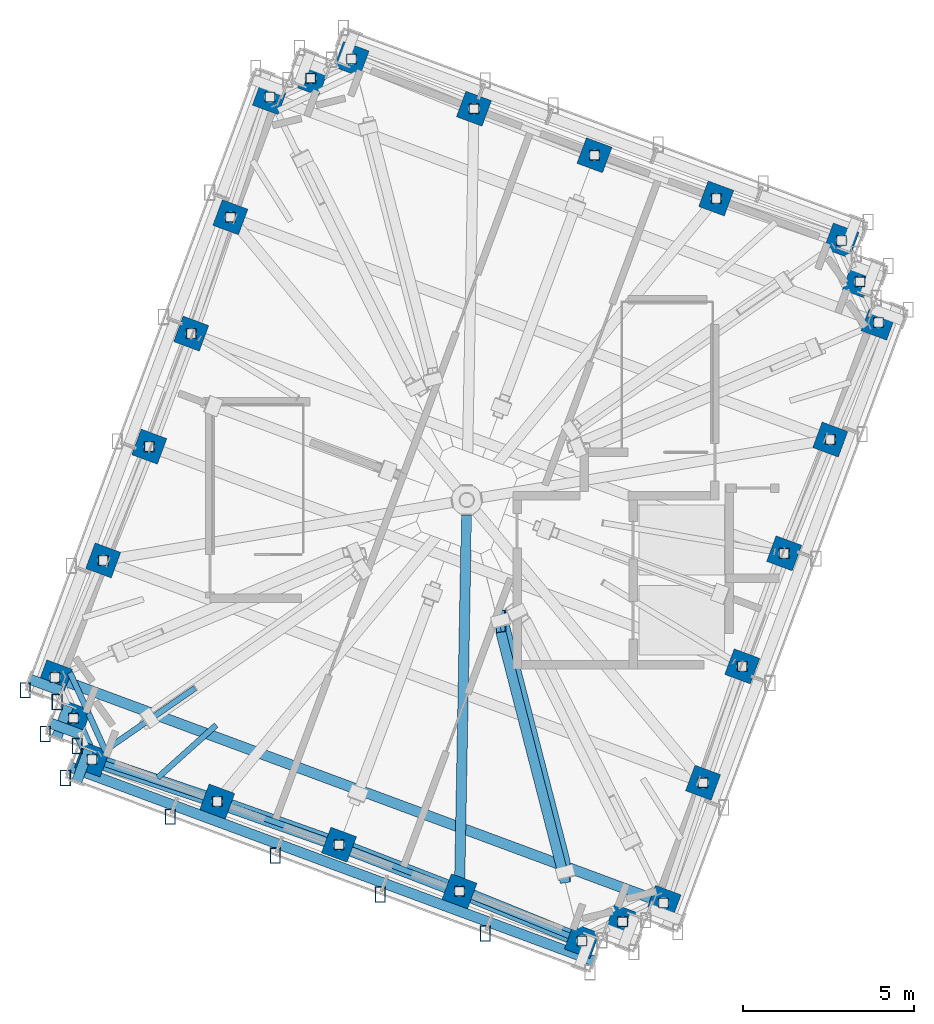
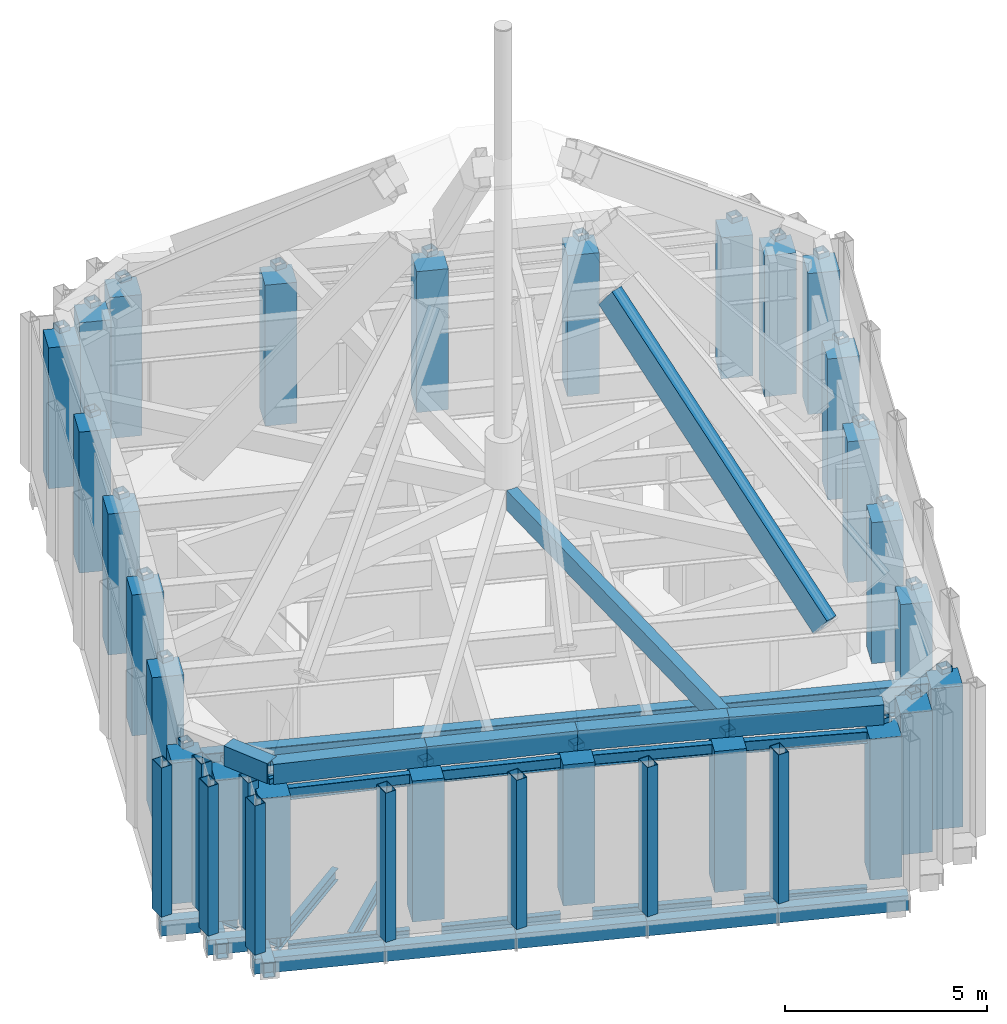
# One storey, part 1 of 14: 52 columns, 19 beams, 19 members, 10 elements without a shape of their own.
"""IFC4 building model written with IfcOpenShell, lengths in metres."""

import ifcopenshell
import ifcopenshell.guid

model = None  # the IFC model being written
_history = None  # IfcOwnerHistory: only IFC2X3 demands one
_inside = {}  # id of a spatial element -> (the spatial element, [elements in it])
_under = {}  # id of a project, library or spatial element -> (it, [spatial elements below it])
_declared = {}  # id of a project -> (the project, [libraries it declares])
_typed = {}  # id of a type object -> (the type object, [elements of that type])
_made_of = {}  # id of a material, layer set ... -> (it, [elements and type objects made of it])


def new_model(schema):
    """Start an empty IFC model of exactly this schema.

    Asked for "IFC4X3", IfcOpenShell would pick the latest addendum, in which some entities
    have other attributes; the version numbers below select the first issue.
    IFC2X3 requires an IfcOwnerHistory on every rooted entity: one is made here for all.
    """
    global model, _history
    if schema == "IFC4X3":
        model = ifcopenshell.file(schema_version=(4, 3, 0, 0))
    else:
        model = ifcopenshell.file(schema=schema)
    _inside.clear()
    _under.clear()
    _declared.clear()
    _typed.clear()
    _made_of.clear()
    _history = None
    if model.schema == "IFC2X3":
        org = make("IfcOrganization", Name="unknown")
        user = make(
            "IfcPersonAndOrganization",
            ThePerson=make("IfcPerson", FamilyName="unknown"),
            TheOrganization=org,
        )
        app = make(
            "IfcApplication",
            ApplicationDeveloper=org,
            Version="unknown",
            ApplicationFullName="unknown",
            ApplicationIdentifier="unknown",
        )
        _history = make(
            "IfcOwnerHistory",
            OwningUser=user,
            OwningApplication=app,
            ChangeAction="ADDED",
            CreationDate=0,
        )
    return model


def make(cls, **values):
    """One entity of the class cls with the attributes given. An attribute that is None is left unset."""
    return model.create_entity(
        cls, **{name: value for name, value in values.items() if value is not None}
    )


def rooted(cls, **values):
    """An entity with a GlobalId (a new one), such as an element, a storey or a relation."""
    return make(cls, GlobalId=ifcopenshell.guid.new(), OwnerHistory=_history, **values)


def si_unit(unit_type, name, prefix=None):
    """IfcSIUnit, for example si_unit("LENGTHUNIT", "METRE", prefix="MILLI")."""
    return make("IfcSIUnit", UnitType=unit_type, Prefix=prefix, Name=name)


def assignment(units):
    """IfcUnitAssignment: the units of a project."""
    return None if units is None else make("IfcUnitAssignment", Units=units)


def point(xyz):
    """IfcCartesianPoint."""
    return None if xyz is None else make("IfcCartesianPoint", Coordinates=xyz)


def direction(xyz):
    """IfcDirection."""
    return None if xyz is None else make("IfcDirection", DirectionRatios=xyz)


def frame(location, z_axis=None, x_axis=None):
    """IfcAxis2Placement3D, a coordinate frame: its origin and axes. An axis left out is left unset."""
    return make(
        "IfcAxis2Placement3D",
        Location=point(location),
        Axis=direction(z_axis),
        RefDirection=direction(x_axis),
    )


def frame_2d(location, x_axis=None):
    """IfcAxis2Placement2D, a coordinate frame in the plane: its origin and x axis."""
    return make(
        "IfcAxis2Placement2D", Location=point(location), RefDirection=direction(x_axis)
    )


def origin():
    """The frame at (0, 0, 0) with its axes left unset."""
    return frame((0.0, 0.0, 0.0))


def origin_2d():
    """The frame at (0, 0) in the plane with its x axis left unset."""
    return frame_2d((0.0, 0.0))


def place(relative_to, where):
    """IfcLocalPlacement: puts the frame where relative to a parent placement (None: the world)."""
    return make(
        "IfcLocalPlacement", PlacementRelTo=relative_to, RelativePlacement=where
    )


def context(
    kind, dimensions, precision=None, world=None, true_north=None, identifier=None
):
    """IfcGeometricRepresentationContext, for example the 3D "Model" context."""
    return make(
        "IfcGeometricRepresentationContext",
        ContextIdentifier=identifier,
        ContextType=kind,
        CoordinateSpaceDimension=dimensions,
        Precision=precision,
        WorldCoordinateSystem=world,
        TrueNorth=true_north,
    )


def subcontext(parent, identifier, kind, view, scale=None):
    """IfcGeometricRepresentationSubContext, for example "Body" below "Model"."""
    return make(
        "IfcGeometricRepresentationSubContext",
        ContextIdentifier=identifier,
        ContextType=kind,
        ParentContext=parent,
        TargetScale=scale,
        TargetView=view,
    )


def project(units=None, contexts=None):
    """IfcProject with its units and contexts."""
    return rooted(
        "IfcProject",
        Name="project",
        RepresentationContexts=contexts,
        UnitsInContext=assignment(units),
    )


def spatial(cls, under=None, at=None, **own):
    """A site, building, storey or space (cls), placed at a placement, below another one or the project."""
    s = rooted(cls, ObjectPlacement=at, **own)
    if under is not None:
        _under.setdefault(under.id(), (under, []))[1].append(s)
    return s


def profile(cls, at=None, kind="AREA", **sizes):
    """A parametric profile (cls). Its sizes go by their IFC names, for example OverallWidth=200.0."""
    return make(cls, ProfileType=kind, Position=at, **sizes)


def rectangle(**sizes):
    """IfcRectangleProfileDef."""
    return profile("IfcRectangleProfileDef", **sizes)


def hollow_rectangle(**sizes):
    """IfcRectangleHollowProfileDef."""
    return profile("IfcRectangleHollowProfileDef", **sizes)


def i_section(**sizes):
    """IfcIShapeProfileDef."""
    return profile("IfcIShapeProfileDef", **sizes)


def extrude(swept, where, along, depth):
    """IfcExtrudedAreaSolid: the profile swept, set in the frame where, extruded along a direction by depth."""
    return make(
        "IfcExtrudedAreaSolid",
        SweptArea=swept,
        Position=where,
        ExtrudedDirection=direction(along),
        Depth=depth,
    )


def shape(context_of_items, identifier, shape_type, items):
    """IfcShapeRepresentation: the items that make up one representation, for example the "Body"."""
    return make(
        "IfcShapeRepresentation",
        ContextOfItems=context_of_items,
        RepresentationIdentifier=identifier,
        RepresentationType=shape_type,
        Items=items,
    )


def material(Name=None, Category=None):
    """IfcMaterial."""
    return make("IfcMaterial", Name=Name, Category=Category)


def material_profile(
    of_material, cross_section, Name=None, Category=None, Priority=None
):
    """IfcMaterialProfile: a cross section and its material."""
    return make(
        "IfcMaterialProfile",
        Name=Name,
        Material=of_material,
        Profile=cross_section,
        Priority=Priority,
        Category=Category,
    )


def profile_set(profiles, Name=None, composite=None):
    """IfcMaterialProfileSet."""
    return make(
        "IfcMaterialProfileSet",
        Name=Name,
        MaterialProfiles=profiles,
        CompositeProfile=composite,
    )


def made_of(thing, what):
    """Note that an element or type object is made of a material, layer set ...; save() writes the relation."""
    if what is not None:
        _made_of.setdefault(what.id(), (what, []))[1].append(thing)
    return thing


def type_object(cls, material=None, **own):
    """A type object (cls), such as IfcWallType, which elements share."""
    return made_of(rooted(cls, **own), material)


def element(
    cls,
    number,
    at=None,
    inside=None,
    cuts=None,
    type_object=None,
    material=None,
    context=None,
    identifier="Body",
    shape_type=None,
    held_by="IfcProductDefinitionShape",
    body=None,
    shapes=None,
    **own,
):
    """One element of the class cls, such as IfcWall. Its Tag is "e" and its number.

    at: its placement. inside: the storey or other place that contains it. cuts: it is an
    opening in that element (IfcRelVoidsElement). A single representation is given by context,
    identifier, shape_type and body (its items); several are given by shapes. held_by: the class
    of the entity that holds the representations. save() writes the other relations.
    """
    e = rooted(cls, Tag="e%d" % number, ObjectPlacement=at, **own)
    if body is not None:
        shapes = [shape(context, identifier, shape_type, body)]
    if shapes is not None:
        e.Representation = make(held_by, Representations=shapes)
    if inside is not None:
        _inside.setdefault(inside.id(), (inside, []))[1].append(e)
    if cuts is not None:
        rooted(
            "IfcRelVoidsElement", RelatingBuildingElement=cuts, RelatedOpeningElement=e
        )
    if type_object is not None:
        _typed.setdefault(type_object.id(), (type_object, []))[1].append(e)
    return made_of(e, material)


def aggregate(whole, parts):
    """IfcRelAggregates: a whole, such as a stair, and the parts it consists of."""
    return rooted("IfcRelAggregates", RelatingObject=whole, RelatedObjects=parts)


def save(model, path):
    """Write the relations noted so far, then the file.

    IfcRelAggregates (storeys below a building ...), IfcRelContainedInSpatialStructure (elements
    in a storey), IfcRelDefinesByType, IfcRelAssociatesMaterial and IfcRelDeclares: one each for
    every whole, place, type object, material and project.
    """
    for whole, parts in _under.values():
        aggregate(whole, parts)
    for where, things in _inside.values():
        rooted(
            "IfcRelContainedInSpatialStructure",
            RelatedElements=things,
            RelatingStructure=where,
        )
    for kind, things in _typed.values():
        rooted("IfcRelDefinesByType", RelatedObjects=things, RelatingType=kind)
    for what, things in _made_of.values():
        rooted("IfcRelAssociatesMaterial", RelatedObjects=things, RelatingMaterial=what)
    for by, libraries in _declared.values():
        rooted("IfcRelDeclares", RelatingContext=by, RelatedDefinitions=libraries)
    model.write(path)


model = new_model("IFC4")

# Units and contexts
model_context = context("Model", 3, precision=1e-05, world=origin(), true_north=direction((0.0, 1.0)))
body_context = subcontext(model_context, "Body", "Model", "MODEL_VIEW")
ifc_project = project(units=[si_unit("LENGTHUNIT", "METRE"), si_unit("AREAUNIT", "SQUARE_METRE"), si_unit("VOLUMEUNIT", "CUBIC_METRE"), si_unit("PLANEANGLEUNIT", "RADIAN"), si_unit("MASSUNIT", "GRAM", prefix="KILO")], contexts=[model_context])

# Site, building, storey
site_placement = place(None, origin())
site = spatial("IfcSite", under=ifc_project, at=site_placement, CompositionType="ELEMENT")
building_placement = place(site_placement, origin())
building = spatial("IfcBuilding", under=site, at=building_placement, Name="Cantera Rosa Tower", CompositionType="ELEMENT")
storey_placement = place(building_placement, frame((0.0, 0.0, 374.199951171875)))
storey = spatial("IfcBuildingStorey", under=building, at=storey_placement, Name="L84", CompositionType="ELEMENT", Elevation=374.199951171875)

# Columns
ifc_material_1 = material(Name="Steel S355J2 (EN 10025-2)", Category="steel")
ifc_material_profile_1 = material_profile(ifc_material_1, hollow_rectangle(XDim=0.300048828125, YDim=0.300048828125, WallThickness=0.02001953125, at=origin_2d()), Name="CROWN POST BOX 300x300x20")
ifc_profile_set_1 = profile_set([ifc_material_profile_1], Name="Steel S355J2 (EN 10025-2)")
column_type_1 = type_object("IfcColumnType", Name="CROWN POST BOX 300x300x20", PredefinedType="COLUMN", material=ifc_profile_set_1)
for number, where, z_axis, x_axis, name in (
    (1, (-10.65478515625, -1.771240234375, 4.5), (0.0, 0.0, 1.0), (1.0, 0.0, 0.0), "CROWN POST 01"),
    (2, (-12.071044921875, -5.198974609375, 4.5), (0.0, 0.0, 1.0), (1.0, 0.0, 0.0), "CROWN POST 02"),
    (3, (-11.52294921875, -6.398681640625, 4.5), (0.0, 0.0, 1.0), (1.0, 0.0, 0.0), "CROWN POST 03"),
    (4, (-10.982177734375, -7.604248046875, 4.5), (0.0, 0.0, 1.0), (1.0, 0.0, 0.0), "CROWN POST 04"),
    (5, (-7.31298828125, -8.837890625, 4.5), (0.0, 0.0, 1.0), (1.0, 0.0, 0.0), "CROWN POST 05"),
    (6, (-3.744140625, -10.103515625, 4.5), (0.0, 0.0, 1.0), (1.0, 0.0, 0.0), "CROWN POST 06"),
    (7, (-0.212158203125, -11.46923828125, 4.5), (0.0, 0.0, 1.0), (1.0, 0.0, 0.0), "CROWN POST 07"),
    (8, (3.374755859375, -12.924560546875, 4.5), (0.0, 0.0, 1.0), (1.0, 0.0, 0.0), "CROWN POST 08"),
    (9, (4.570556640625, -12.362548828125, 4.5), (0.0, 0.0, 1.0), (1.0, 0.0, 0.0), "CROWN POST 09"),
    (10, (5.768310546875, -11.809814453125, 4.5), (0.0, 0.0, 1.0), (1.0, 0.0, 0.0), "CROWN POST 10"),
    (11, (6.927490234375, -8.286865234375, 4.5), (0.0, 0.0, 1.0), (1.0, 0.0, 0.0), "CROWN POST 11"),
    (12, (8.075439453125, -4.876953125, 4.5), (0.0, 0.0, 1.0), (1.0, 0.0, 0.0), "CROWN POST 12"),
    (13, (9.303466796875, -1.56298828125, 4.5), (0.0, 0.0, 1.0), (1.0, 0.0, 0.0), "CROWN POST 13"),
    (14, (10.65478515625, 1.771240234375, 4.5), (0.0, 0.0, 1.0), (1.0, 0.0, 0.0), "CROWN POST 14"),
    (15, (12.071044921875, 5.198974609375, 4.5), (0.0, 0.0, 1.0), (1.0, 0.0, 0.0), "CROWN POST 15"),
    (16, (11.52294921875, 6.398681640625, 4.5), (0.0, 0.0, 1.0), (1.0, 0.0, 0.0), "CROWN POST 16"),
    (17, (10.982177734375, 7.604248046875, 4.5), (0.0, 0.0, 1.0), (1.0, 0.0, 0.0), "CROWN POST 17"),
    (18, (7.31298828125, 8.837890625, 4.5), (0.0, 0.0, 1.0), (1.0, 0.0, 0.0), "CROWN POST 18"),
    (19, (3.744140625, 10.103515625, 4.5), (0.0, 0.0, 1.0), (1.0, 0.0, 0.0), "CROWN POST 19"),
    (20, (0.212158203125, 11.46923828125, 4.5), (0.0, 0.0, 1.0), (1.0, 0.0, 0.0), "CROWN POST 20"),
    (21, (-3.374755859375, 12.924560546875, 4.5), (0.0, 0.0, 1.0), (1.0, 0.0, 0.0), "CROWN POST 21"),
    (22, (-4.570556640625, 12.362548828125, 4.5), (0.0, 0.0, 1.0), (1.0, 0.0, 0.0), "CROWN POST 22"),
    (23, (-5.768310546875, 11.809814453125, 4.5), (0.0, 0.0, 1.0), (1.0, 0.0, 0.0), "CROWN POST 23"),
    (24, (-6.927490234375, 8.286865234375, 4.5), (0.0, 0.0, 1.0), (1.0, 0.0, 0.0), "CROWN POST 24"),
    (25, (-8.075439453125, 4.876953125, 4.5), (0.0, 0.0, 1.0), (1.0, 0.0, 0.0), "CROWN POST 25"),
    (26, (-9.303466796875, 1.56298828125, 4.5), (0.0, 0.0, 1.0), (1.0, 0.0, 0.0), "CROWN POST 26"),
):
    element("IfcColumn", number, at=place(storey_placement, frame(where, z_axis=z_axis, x_axis=x_axis)), inside=storey, type_object=column_type_1, Name=name, PredefinedType="COLUMN", context=body_context, shape_type="SweptSolid", body=[
        extrude(hollow_rectangle(XDim=0.300048828125, YDim=0.300048828125, WallThickness=0.02001953125, at=origin_2d()), origin(), (0.0, 0.0, 1.0), 0.150146484375),
    ])
ifc_material_2 = material(Name="Concrete C50/60", Category="concrete")
ifc_material_profile_2 = material_profile(ifc_material_2, rectangle(XDim=0.800048828125, YDim=0.800048828125, at=origin_2d()), Name="RC COLUMN RC800X800 C50/60")
ifc_profile_set_2 = profile_set([ifc_material_profile_2], Name="Concrete C50/60")
column_type_2 = type_object("IfcColumnType", Name="RC COLUMN RC800X800 C50/60", PredefinedType="COLUMN", material=ifc_profile_set_2)
for number, where, z_axis, x_axis, name in (
    (27, (10.982177734375, 7.604248046875, 0.0), (0.0, 0.0, 1.0), (0.347481234489, 0.937686936924, 0.0), "C-Z6-01 L84"),
    (28, (7.31298828125, 8.837890625, 0.0), (0.0, 0.0, 1.0), (0.347481234489, 0.937686936924, 0.0), "C-Z6-02 L84"),
    (29, (3.744140625, 10.103515625, 0.0), (0.0, 0.0, 1.0), (0.347481234489, 0.937686936924, 0.0), "C-Z6-03 L84"),
    (30, (0.212158203125, 11.46923828125, 0.0), (0.0, 0.0, 1.0), (0.347481234489, 0.937686936924, 0.0), "C-Z6-04 L84"),
    (31, (-3.374755859375, 12.924560546875, 0.0), (0.0, 0.0, 1.0), (0.347481234489, 0.937686936924, 0.0), "C-Z6-05 L84"),
    (32, (-4.570556640625, 12.362548828125, 0.0), (0.0, 0.0, 1.0), (0.347481234489, 0.937686936924, 0.0), "C-Z6-06 L84"),
    (33, (-5.768310546875, 11.809814453125, 0.0), (0.0, 0.0, 1.0), (0.347481234489, 0.937686936924, 0.0), "C-Z6-07 L84"),
    (34, (-6.927490234375, 8.286865234375, 0.0), (0.0, 0.0, 1.0), (0.347481234489, 0.937686936924, 0.0), "C-Z6-08 L84"),
    (35, (-8.075439453125, 4.876953125, 0.0), (0.0, 0.0, 1.0), (0.347481234489, 0.937686936924, 0.0), "C-Z6-09 L84"),
    (36, (-9.303466796875, 1.56298828125, 0.0), (0.0, 0.0, 1.0), (0.347481234489, 0.937686936924, 0.0), "C-Z6-10 L84"),
    (37, (-10.65478515625, -1.771240234375, 0.0), (0.0, 0.0, 1.0), (0.347481234489, 0.937686936924, 0.0), "C-Z6-11 L84"),
    (38, (-12.071044921875, -5.198974609375, 0.0), (0.0, 0.0, 1.0), (0.347481234489, 0.937686936924, 0.0), "C-Z6-12 L84"),
    (39, (-11.52294921875, -6.398681640625, 0.0), (0.0, 0.0, 1.0), (0.347481234489, 0.937686936924, 0.0), "C-Z6-13 L84"),
    (40, (-10.982177734375, -7.604248046875, 0.0), (0.0, 0.0, 1.0), (0.347481234489, 0.937686936924, 0.0), "C-Z6-14 L84"),
    (41, (-7.31298828125, -8.837890625, 0.0), (0.0, 0.0, 1.0), (0.347481234489, 0.937686936924, 0.0), "C-Z6-15 L84"),
    (42, (-3.744140625, -10.103515625, 0.0), (0.0, 0.0, 1.0), (0.347481234489, 0.937686936924, 0.0), "C-Z6-16 L84"),
    (43, (-0.212158203125, -11.46923828125, 0.0), (0.0, 0.0, 1.0), (0.347481234489, 0.937686936924, 0.0), "C-Z6-17 L84"),
    (44, (3.374755859375, -12.924560546875, 0.0), (0.0, 0.0, 1.0), (0.347481234489, 0.937686936924, 0.0), "C-Z6-18 L84"),
    (45, (4.570556640625, -12.362548828125, 0.0), (0.0, 0.0, 1.0), (0.347481234489, 0.937686936924, 0.0), "C-Z6-19 L84"),
    (46, (5.768310546875, -11.809814453125, 0.0), (0.0, 0.0, 1.0), (0.347481234489, 0.937686936924, 0.0), "C-Z6-20 L84"),
    (47, (6.927490234375, -8.286865234375, 0.0), (0.0, 0.0, 1.0), (0.347481234489, 0.937686936924, 0.0), "C-Z6-21 L84"),
    (48, (8.075439453125, -4.876953125, 0.0), (0.0, 0.0, 1.0), (0.347481234489, 0.937686936924, 0.0), "C-Z6-22 L84"),
    (49, (9.303466796875, -1.56298828125, 0.0), (0.0, 0.0, 1.0), (0.347481234489, 0.937686936924, 0.0), "C-Z6-23 L84"),
    (50, (10.65478515625, 1.771240234375, 0.0), (0.0, 0.0, 1.0), (0.347481234489, 0.937686936924, 0.0), "C-Z6-24 L84"),
    (51, (12.071044921875, 5.198974609375, 0.0), (0.0, 0.0, 1.0), (0.347481234489, 0.937686936924, 0.0), "C-Z6-25 L84"),
    (52, (11.52294921875, 6.398681640625, 0.0), (0.0, 0.0, 1.0), (0.347481234489, 0.937686936924, 0.0), "C-Z6-26 L84"),
):
    element("IfcColumn", number, at=place(storey_placement, frame(where, z_axis=z_axis, x_axis=x_axis)), inside=storey, type_object=column_type_2, Name=name, PredefinedType="COLUMN", context=body_context, shape_type="SweptSolid", body=[
        extrude(rectangle(XDim=0.800048828125, YDim=0.800048828125, at=origin_2d()), origin(), (0.0, 0.0, 1.0), 4.25),
    ])

# Curtain wall, member
ifc_material_3 = material(Name="Aluminium frame with clear glass", Category="aluminium")
curtain_wall_type = type_object("IfcCurtainWallType", Name="CW4 CROWN GLAZING", PredefinedType="NOTDEFINED", material=ifc_material_3)
curtain_wall_1_placement = place(storey_placement, origin())
curtain_wall_1 = element("IfcCurtainWall", 53, at=curtain_wall_1_placement, inside=storey, type_object=curtain_wall_type, Name="CW4 L84-15", PredefinedType="NOTDEFINED")
ifc_material_4 = material(Name="Steel S355J2 (EN 10025-2)", Category="steel")
ifc_material_profile_3 = material_profile(ifc_material_4, hollow_rectangle(XDim=0.300048828125, YDim=0.449951171875, WallThickness=0.01611328125, at=origin_2d()), Name="CROWN FRAME MULLION RHS 300x450x16")
ifc_profile_set_3 = profile_set([ifc_material_profile_3], Name="Steel S355J2 (EN 10025-2)")
member_type_1 = type_object("IfcMemberType", Name="CROWN FRAME MULLION RHS 300x450x16", PredefinedType="MULLION", material=ifc_profile_set_3)
member_1_placement = place(storey_placement, frame((-12.943603515625, -5.57470703125, 0.0), z_axis=(0.0, 0.0, 1.0), x_axis=(1.0, 0.0, 0.0)))
member_1 = element("IfcMember", 54, at=member_1_placement, type_object=member_type_1, Name="CROWN FRAME rib L84-15", PredefinedType="MULLION", context=body_context, shape_type="SweptSolid", body=[
    extrude(hollow_rectangle(XDim=0.300048828125, YDim=0.449951171875, WallThickness=0.01611328125, at=origin_2d()), origin(), (0.0, 0.0, 1.0), 4.5),
])

curtain_wall_2_placement = place(storey_placement, origin())
curtain_wall_2 = element("IfcCurtainWall", 55, at=curtain_wall_2_placement, inside=storey, type_object=curtain_wall_type, Name="CW4 L84-16", PredefinedType="NOTDEFINED")
member_2_placement = place(storey_placement, frame((-12.005859375, -5.922119140625, 0.0), z_axis=(0.0, 0.0, 1.0), x_axis=(1.0, 0.0, 0.0)))
member_2 = element("IfcMember", 56, at=member_2_placement, type_object=member_type_1, Name="CROWN FRAME rib L84-16", PredefinedType="MULLION", context=body_context, shape_type="SweptSolid", body=[
    extrude(hollow_rectangle(XDim=0.300048828125, YDim=0.449951171875, WallThickness=0.01611328125, at=origin_2d()), origin(), (0.0, 0.0, 1.0), 4.5),
])

curtain_wall_3_placement = place(storey_placement, origin())
curtain_wall_3 = element("IfcCurtainWall", 57, at=curtain_wall_3_placement, inside=storey, type_object=curtain_wall_type, Name="CW4 L84-17", PredefinedType="NOTDEFINED")
member_3_placement = place(storey_placement, frame((-12.353515625, -6.85986328125, 0.0), z_axis=(0.0, 0.0, 1.0), x_axis=(1.0, 0.0, 0.0)))
member_3 = element("IfcMember", 58, at=member_3_placement, type_object=member_type_1, Name="CROWN FRAME rib L84-17", PredefinedType="MULLION", context=body_context, shape_type="SweptSolid", body=[
    extrude(hollow_rectangle(XDim=0.300048828125, YDim=0.449951171875, WallThickness=0.01611328125, at=origin_2d()), origin(), (0.0, 0.0, 1.0), 4.5),
])

curtain_wall_4_placement = place(storey_placement, origin())
curtain_wall_4 = element("IfcCurtainWall", 59, at=curtain_wall_4_placement, inside=storey, type_object=curtain_wall_type, Name="CW4 L84-18", PredefinedType="NOTDEFINED")
member_4_placement = place(storey_placement, frame((-11.415771484375, -7.207275390625, 0.0), z_axis=(0.0, 0.0, 1.0), x_axis=(1.0, 0.0, 0.0)))
member_4 = element("IfcMember", 60, at=member_4_placement, type_object=member_type_1, Name="CROWN FRAME rib L84-18", PredefinedType="MULLION", context=body_context, shape_type="SweptSolid", body=[
    extrude(hollow_rectangle(XDim=0.300048828125, YDim=0.449951171875, WallThickness=0.01611328125, at=origin_2d()), origin(), (0.0, 0.0, 1.0), 4.5),
])

curtain_wall_5_placement = place(storey_placement, origin())
curtain_wall_5 = element("IfcCurtainWall", 61, at=curtain_wall_5_placement, inside=storey, type_object=curtain_wall_type, Name="CW4 L84-19", PredefinedType="NOTDEFINED")
member_5_placement = place(storey_placement, frame((-11.76318359375, -8.14501953125, 0.0), z_axis=(0.0, 0.0, 1.0), x_axis=(1.0, 0.0, 0.0)))
member_5 = element("IfcMember", 62, at=member_5_placement, type_object=member_type_1, Name="CROWN FRAME rib L84-19", PredefinedType="MULLION", context=body_context, shape_type="SweptSolid", body=[
    extrude(hollow_rectangle(XDim=0.300048828125, YDim=0.449951171875, WallThickness=0.01611328125, at=origin_2d()), origin(), (0.0, 0.0, 1.0), 4.5),
])

curtain_wall_6_placement = place(storey_placement, origin())
curtain_wall_6 = element("IfcCurtainWall", 63, at=curtain_wall_6_placement, inside=storey, type_object=curtain_wall_type, Name="CW4 L84-20", PredefinedType="NOTDEFINED")
member_6_placement = place(storey_placement, frame((-8.687744140625, -9.28466796875, 0.0), z_axis=(0.0, 0.0, 1.0), x_axis=(1.0, 0.0, 0.0)))
member_6 = element("IfcMember", 64, at=member_6_placement, type_object=member_type_1, Name="CROWN FRAME rib L84-20", PredefinedType="MULLION", context=body_context, shape_type="SweptSolid", body=[
    extrude(hollow_rectangle(XDim=0.300048828125, YDim=0.449951171875, WallThickness=0.01611328125, at=origin_2d()), origin(), (0.0, 0.0, 1.0), 4.5),
])

curtain_wall_7_placement = place(storey_placement, origin())
curtain_wall_7 = element("IfcCurtainWall", 65, at=curtain_wall_7_placement, inside=storey, type_object=curtain_wall_type, Name="CW4 L84-21", PredefinedType="NOTDEFINED")
member_7_placement = place(storey_placement, frame((-5.612060546875, -10.424560546875, 0.0), z_axis=(0.0, 0.0, 1.0), x_axis=(1.0, 0.0, 0.0)))
member_7 = element("IfcMember", 66, at=member_7_placement, type_object=member_type_1, Name="CROWN FRAME rib L84-21", PredefinedType="MULLION", context=body_context, shape_type="SweptSolid", body=[
    extrude(hollow_rectangle(XDim=0.300048828125, YDim=0.449951171875, WallThickness=0.01611328125, at=origin_2d()), origin(), (0.0, 0.0, 1.0), 4.5),
])

curtain_wall_8_placement = place(storey_placement, origin())
curtain_wall_8 = element("IfcCurtainWall", 67, at=curtain_wall_8_placement, inside=storey, type_object=curtain_wall_type, Name="CW4 L84-22", PredefinedType="NOTDEFINED")
member_8_placement = place(storey_placement, frame((-2.536376953125, -11.564208984375, 0.0), z_axis=(0.0, 0.0, 1.0), x_axis=(1.0, 0.0, 0.0)))
member_8 = element("IfcMember", 68, at=member_8_placement, type_object=member_type_1, Name="CROWN FRAME rib L84-22", PredefinedType="MULLION", context=body_context, shape_type="SweptSolid", body=[
    extrude(hollow_rectangle(XDim=0.300048828125, YDim=0.449951171875, WallThickness=0.01611328125, at=origin_2d()), origin(), (0.0, 0.0, 1.0), 4.5),
])

curtain_wall_9_placement = place(storey_placement, origin())
curtain_wall_9 = element("IfcCurtainWall", 69, at=curtain_wall_9_placement, inside=storey, type_object=curtain_wall_type, Name="CW4 L84-23", PredefinedType="NOTDEFINED")
member_9_placement = place(storey_placement, frame((0.539306640625, -12.7041015625, 0.0), z_axis=(0.0, 0.0, 1.0), x_axis=(1.0, 0.0, 0.0)))
member_9 = element("IfcMember", 70, at=member_9_placement, type_object=member_type_1, Name="CROWN FRAME rib L84-23", PredefinedType="MULLION", context=body_context, shape_type="SweptSolid", body=[
    extrude(hollow_rectangle(XDim=0.300048828125, YDim=0.449951171875, WallThickness=0.01611328125, at=origin_2d()), origin(), (0.0, 0.0, 1.0), 4.5),
])

# Member
ifc_material_5 = material(Name="Steel S355J2 (EN 10025-2)", Category="steel")
ifc_material_profile_4 = material_profile(ifc_material_5, hollow_rectangle(XDim=0.300048828125, YDim=0.449951171875, WallThickness=0.01611328125, at=origin_2d()), Name="CROWN FRAME PURLIN RHS 300x450x16")
ifc_profile_set_4 = profile_set([ifc_material_profile_4], Name="Steel S355J2 (EN 10025-2)")
member_type_2 = type_object("IfcMemberType", Name="CROWN FRAME PURLIN RHS 300x450x16", PredefinedType="PURLIN", material=ifc_profile_set_4)
member_10_placement = place(storey_placement, frame((-12.822021484375, -5.24658203125, -0.675048828125), z_axis=(0.937716362588, -0.347401818267, 0.0), x_axis=(0.347401818267, 0.937716362588, 0.0)))
member_10 = element("IfcMember", 71, at=member_10_placement, type_object=member_type_2, Name="CROWN FRAME purlin L84-15", PredefinedType="PURLIN", context=body_context, shape_type="SweptSolid", body=[
    extrude(hollow_rectangle(XDim=0.300048828125, YDim=0.449951171875, WallThickness=0.01611328125, at=origin_2d()), origin(), (0.0, 0.0, 1.0), 1.0),
])

aggregate(curtain_wall_1, [member_1, member_10])

member_11_placement = place(storey_placement, frame((-11.677734375, -6.043701171875, -0.675048828125), z_axis=(-0.347401818267, -0.937716362588, 0.0), x_axis=(0.937716362588, -0.347401818267, 0.0)))
member_11 = element("IfcMember", 72, at=member_11_placement, type_object=member_type_2, Name="CROWN FRAME purlin L84-16", PredefinedType="PURLIN", context=body_context, shape_type="SweptSolid", body=[
    extrude(hollow_rectangle(XDim=0.300048828125, YDim=0.449951171875, WallThickness=0.01611328125, at=origin_2d()), origin(), (0.0, 0.0, 1.0), 1.0),
])

aggregate(curtain_wall_2, [member_2, member_11])

member_12_placement = place(storey_placement, frame((-12.23193359375, -6.53173828125, -0.675048828125), z_axis=(0.937716362588, -0.347401818267, 0.0), x_axis=(0.347401818267, 0.937716362588, 0.0)))
member_12 = element("IfcMember", 73, at=member_12_placement, type_object=member_type_2, Name="CROWN FRAME purlin L84-17", PredefinedType="PURLIN", context=body_context, shape_type="SweptSolid", body=[
    extrude(hollow_rectangle(XDim=0.300048828125, YDim=0.449951171875, WallThickness=0.01611328125, at=origin_2d()), origin(), (0.0, 0.0, 1.0), 1.0),
])

aggregate(curtain_wall_3, [member_3, member_12])

member_13_placement = place(storey_placement, frame((-11.087646484375, -7.328857421875, -0.675048828125), z_axis=(-0.347401818267, -0.937716362588, 0.0), x_axis=(0.937716362588, -0.347401818267, 0.0)))
member_13 = element("IfcMember", 74, at=member_13_placement, type_object=member_type_2, Name="CROWN FRAME purlin L84-18", PredefinedType="PURLIN", context=body_context, shape_type="SweptSolid", body=[
    extrude(hollow_rectangle(XDim=0.300048828125, YDim=0.449951171875, WallThickness=0.01611328125, at=origin_2d()), origin(), (0.0, 0.0, 1.0), 1.0),
])

aggregate(curtain_wall_4, [member_4, member_13])

member_14_placement = place(storey_placement, frame((-11.6416015625, -7.81689453125, -0.675048828125), z_axis=(0.937698470917, -0.347450108131, 0.0), x_axis=(0.347450108131, 0.937698470917, 0.0)))
member_14 = element("IfcMember", 75, at=member_14_placement, type_object=member_type_2, Name="CROWN FRAME purlin L84-19", PredefinedType="PURLIN", context=body_context, shape_type="SweptSolid", body=[
    extrude(hollow_rectangle(XDim=0.300048828125, YDim=0.449951171875, WallThickness=0.01611328125, at=origin_2d()), origin(), (0.0, 0.0, 1.0), 3.280029296875),
])

aggregate(curtain_wall_5, [member_5, member_14])

member_15_placement = place(storey_placement, frame((-8.56591796875, -8.95654296875, -0.675048828125), z_axis=(0.93766522927, -0.34753980753, 0.0), x_axis=(0.34753980753, 0.93766522927, 0.0)))
member_15 = element("IfcMember", 76, at=member_15_placement, type_object=member_type_2, Name="CROWN FRAME purlin L84-20", PredefinedType="PURLIN", context=body_context, shape_type="SweptSolid", body=[
    extrude(hollow_rectangle(XDim=0.300048828125, YDim=0.449951171875, WallThickness=0.01611328125, at=origin_2d()), origin(), (0.0, 0.0, 1.0), 3.27978515625),
])

aggregate(curtain_wall_6, [member_6, member_15])

member_16_placement = place(storey_placement, frame((-5.490478515625, -10.096435546875, -0.675048828125), z_axis=(0.937698470917, -0.347450108131, 0.0), x_axis=(0.347450108131, 0.937698470917, 0.0)))
member_16 = element("IfcMember", 77, at=member_16_placement, type_object=member_type_2, Name="CROWN FRAME purlin L84-21", PredefinedType="PURLIN", context=body_context, shape_type="SweptSolid", body=[
    extrude(hollow_rectangle(XDim=0.300048828125, YDim=0.449951171875, WallThickness=0.01611328125, at=origin_2d()), origin(), (0.0, 0.0, 1.0), 3.280029296875),
])

aggregate(curtain_wall_7, [member_7, member_16])

member_17_placement = place(storey_placement, frame((-2.414794921875, -11.236083984375, -0.675048828125), z_axis=(0.937698470917, -0.347450108131, 0.0), x_axis=(0.347450108131, 0.937698470917, 0.0)))
member_17 = element("IfcMember", 78, at=member_17_placement, type_object=member_type_2, Name="CROWN FRAME purlin L84-22", PredefinedType="PURLIN", context=body_context, shape_type="SweptSolid", body=[
    extrude(hollow_rectangle(XDim=0.300048828125, YDim=0.449951171875, WallThickness=0.01611328125, at=origin_2d()), origin(), (0.0, 0.0, 1.0), 3.280029296875),
])

aggregate(curtain_wall_8, [member_8, member_17])

member_18_placement = place(storey_placement, frame((0.660888671875, -12.375732421875, -0.675048828125), z_axis=(0.93766522927, -0.34753980753, 0.0), x_axis=(0.34753980753, 0.93766522927, 0.0)))
member_18 = element("IfcMember", 79, at=member_18_placement, type_object=member_type_2, Name="CROWN FRAME purlin L84-23", PredefinedType="PURLIN", context=body_context, shape_type="SweptSolid", body=[
    extrude(hollow_rectangle(XDim=0.300048828125, YDim=0.449951171875, WallThickness=0.01611328125, at=origin_2d()), origin(), (0.0, 0.0, 1.0), 3.27978515625),
])

aggregate(curtain_wall_9, [member_9, member_18])

# Curtain wall, member
curtain_wall_10_placement = place(storey_placement, origin())
curtain_wall_10 = element("IfcCurtainWall", 80, at=curtain_wall_10_placement, inside=storey, type_object=curtain_wall_type, Name="CW4 L84-03", PredefinedType="NOTDEFINED")
ifc_material_6 = material(Name="Steel S355J2 (EN 10025-2)", Category="steel")
ifc_material_profile_5 = material_profile(ifc_material_6, hollow_rectangle(XDim=0.300048828125, YDim=1.0, WallThickness=0.02490234375, at=origin_2d()), Name="CROWN HIP RAFTER RHS 300x1000x25")
ifc_profile_set_5 = profile_set([ifc_material_profile_5], Name="Steel S355J2 (EN 10025-2)")
member_type_3 = type_object("IfcMemberType", Name="CROWN HIP RAFTER RHS 300x1000x25", PredefinedType="RAFTER", material=ifc_profile_set_5)
member_19_placement = place(storey_placement, frame((2.884765625, -10.8974609375, 6.3212890625), z_axis=(-0.193700940201, 0.752283305283, 0.629721981797), x_axis=(0.98097822792, 0.156837406577, 0.11438419578)))
member_19 = element("IfcMember", 81, at=member_19_placement, type_object=member_type_3, Name="CROWN FRAME rib L84-03", PredefinedType="RAFTER", context=body_context, shape_type="SweptSolid", body=[
    extrude(hollow_rectangle(XDim=0.300048828125, YDim=1.0, WallThickness=0.02490234375, at=origin_2d()), origin(), (0.0, 0.0, 1.0), 9.7568359375),
])
aggregate(curtain_wall_10, [member_19])

# Beams
ifc_material_7 = material(Name="Steel S355J2 (EN 10025-2)", Category="steel")
ifc_material_profile_6 = material_profile(ifc_material_7, hollow_rectangle(XDim=0.39990234375, YDim=0.60009765625, WallThickness=0.02490234375, at=origin_2d()), Name="CROWN RING BOX 400x600x25")
ifc_profile_set_6 = profile_set([ifc_material_profile_6], Name="Steel S355J2 (EN 10025-2)")
beam_type_1 = type_object("IfcBeamType", Name="CROWN RING BOX 400x600x25", PredefinedType="BEAM", material=ifc_profile_set_6)
beam_1_placement = place(storey_placement, frame((-11.52294921875, -6.398681640625, 4.800048828125), z_axis=(0.409273413016, -0.912411789379, 0.0), x_axis=(0.912411789379, 0.409273413016, 0.0)))
element("IfcBeam", 82, at=beam_1_placement, inside=storey, type_object=beam_type_1, Name="CROWN RING RR-03", PredefinedType="BEAM", context=body_context, shape_type="SweptSolid", body=[
    extrude(hollow_rectangle(XDim=0.39990234375, YDim=0.60009765625, WallThickness=0.02490234375, at=origin_2d()), origin(), (0.0, 0.0, 1.0), 1.3212890625),
])
beam_2_placement = place(storey_placement, frame((-10.982177734375, -7.604248046875, 4.800048828125), z_axis=(0.947860215673, -0.31868638431, 0.0), x_axis=(0.31868638431, 0.947860215673, 0.0)))
element("IfcBeam", 83, at=beam_2_placement, inside=storey, type_object=beam_type_1, Name="CROWN RING RR-04", PredefinedType="BEAM", context=body_context, shape_type="SweptSolid", body=[
    extrude(hollow_rectangle(XDim=0.39990234375, YDim=0.60009765625, WallThickness=0.02490234375, at=origin_2d()), origin(), (0.0, 0.0, 1.0), 3.87109375),
])
beam_3_placement = place(storey_placement, frame((-7.31298828125, -8.837890625, 4.800048828125), z_axis=(0.94248934382, -0.334236199095, 0.0), x_axis=(0.334236199095, 0.94248934382, 0.0)))
element("IfcBeam", 84, at=beam_3_placement, inside=storey, type_object=beam_type_1, Name="CROWN RING RR-05", PredefinedType="BEAM", context=body_context, shape_type="SweptSolid", body=[
    extrude(hollow_rectangle(XDim=0.39990234375, YDim=0.60009765625, WallThickness=0.02490234375, at=origin_2d()), origin(), (0.0, 0.0, 1.0), 3.78662109375),
])
beam_4_placement = place(storey_placement, frame((-3.744140625, -10.103515625, 4.800048828125), z_axis=(0.932701060965, -0.360650427527, 0.0), x_axis=(0.360650427527, 0.932701060965, 0.0)))
element("IfcBeam", 85, at=beam_4_placement, inside=storey, type_object=beam_type_1, Name="CROWN RING RR-06", PredefinedType="BEAM", context=body_context, shape_type="SweptSolid", body=[
    extrude(hollow_rectangle(XDim=0.39990234375, YDim=0.60009765625, WallThickness=0.02490234375, at=origin_2d()), origin(), (0.0, 0.0, 1.0), 3.786865234375),
])
beam_5_placement = place(storey_placement, frame((-0.212158203125, -11.46923828125, 4.800048828125), z_axis=(0.92663418017, -0.375964221889, 0.0), x_axis=(0.375964221889, 0.92663418017, 0.0)))
element("IfcBeam", 86, at=beam_5_placement, inside=storey, type_object=beam_type_1, Name="CROWN RING RR-07", PredefinedType="BEAM", context=body_context, shape_type="SweptSolid", body=[
    extrude(hollow_rectangle(XDim=0.39990234375, YDim=0.60009765625, WallThickness=0.02490234375, at=origin_2d()), origin(), (0.0, 0.0, 1.0), 3.870849609375),
])
ifc_material_8 = material(Name="Steel S355J2 (EN 10025-2)", Category="steel")
ifc_material_profile_7 = material_profile(ifc_material_8, hollow_rectangle(XDim=0.300048828125, YDim=0.60009765625, WallThickness=0.02490234375, at=origin_2d()), Name="CROWN TIE BOX 300x600x25")
ifc_profile_set_7 = profile_set([ifc_material_profile_7], Name="Steel S355J2 (EN 10025-2)")
beam_type_2 = type_object("IfcBeamType", Name="CROWN TIE BOX 300x600x25", PredefinedType="BEAM", material=ifc_profile_set_7)
beam_6_placement = place(storey_placement, frame((-0.212158203125, -11.46923828125, 4.800048828125), z_axis=(0.018496890361, 0.999828917889, 0.0), x_axis=(-0.999828917889, 0.018496890361, 0.0)))
element("IfcBeam", 87, at=beam_6_placement, inside=storey, type_object=beam_type_2, Name="CROWN TIE 03B", PredefinedType="BEAM", context=body_context, shape_type="SweptSolid", body=[
    extrude(hollow_rectangle(XDim=0.300048828125, YDim=0.60009765625, WallThickness=0.02490234375, at=origin_2d()), origin(), (0.0, 0.0, 1.0), 11.021240234375),
])
ifc_material_9 = material(Name="Steel ASTM A992 (Fy 345 MPa)", Category="steel")
ifc_material_profile_8 = material_profile(ifc_material_9, i_section(OverallWidth=0.1708984375, OverallDepth=0.35595703125, WebThickness=0.00732421875, FlangeThickness=0.01171875, FilletRadius=0.010009765625, at=origin_2d()), Name="W360X51")
ifc_profile_set_8 = profile_set([ifc_material_profile_8], Name="Steel ASTM A992 (Fy 345 MPa)")
beam_type_3 = type_object("IfcBeamType", Name="STEEL BEAM W360X51", PredefinedType="BEAM", material=ifc_profile_set_8)
beam_7_placement = place(storey_placement, frame((-10.735595703125, -7.433349609375, -0.6279296875), z_axis=(0.822168690047, 0.569243924084, 0.0), x_axis=(-0.569243924084, 0.822168690047, 0.0)))
element("IfcBeam", 88, at=beam_7_placement, inside=storey, type_object=beam_type_3, Name="CG-Z6-05 L84", PredefinedType="BEAM", context=body_context, shape_type="SweptSolid", body=[
    extrude(i_section(OverallWidth=0.1708984375, OverallDepth=0.35595703125, WebThickness=0.00732421875, FlangeThickness=0.01171875, FilletRadius=0.010009765625, at=origin_2d()), origin(), (0.0, 0.0, 1.0), 3.365966796875),
])
beam_8_placement = place(storey_placement, frame((-9.058349609375, -8.140869140625, -0.6279296875), z_axis=(0.743741444393, 0.668467399274, 0.0), x_axis=(-0.668467399274, 0.743741444393, 0.0)))
element("IfcBeam", 89, at=beam_8_placement, inside=storey, type_object=beam_type_3, Name="CB-Z6-04 L84", PredefinedType="BEAM", context=body_context, shape_type="SweptSolid", body=[
    extrude(i_section(OverallWidth=0.1708984375, OverallDepth=0.35595703125, WebThickness=0.00732421875, FlangeThickness=0.01171875, FilletRadius=0.010009765625, at=origin_2d()), origin(), (0.0, 0.0, 1.0), 2.305908203125),
])
ifc_material_10 = material(Name="Steel ASTM A992 (Fy 345 MPa)", Category="steel")
ifc_material_profile_9 = material_profile(ifc_material_10, i_section(OverallWidth=0.304931640625, OverallDepth=0.904052734375, WebThickness=0.01513671875, FlangeThickness=0.02001953125, FilletRadius=0.01904296875, at=origin_2d()), Name="W920X201")
ifc_profile_set_9 = profile_set([ifc_material_profile_9], Name="Steel ASTM A992 (Fy 345 MPa)")
beam_type_4 = type_object("IfcBeamType", Name="STEEL BEAM W920X201", PredefinedType="BEAM", material=ifc_profile_set_9)
beam_9_placement = place(storey_placement, frame((5.487060546875, -11.705078125, 3.798095703125), z_axis=(-0.937686728837, 0.347481796018, 0.0), x_axis=(-0.347481796018, -0.937686728837, 0.0)))
element("IfcBeam", 90, at=beam_9_placement, inside=storey, type_object=beam_type_4, Name="RG-Z6-01 L84", PredefinedType="BEAM", context=body_context, shape_type="SweptSolid", body=[
    extrude(i_section(OverallWidth=0.304931640625, OverallDepth=0.904052734375, WebThickness=0.01513671875, FlangeThickness=0.02001953125, FilletRadius=0.01904296875, at=origin_2d()), origin(), (0.0, 0.0, 1.0), 18.425048828125),
])
ifc_material_11 = material(Name="Steel ASTM A992 (Fy 345 MPa)", Category="steel")
ifc_material_profile_10 = material_profile(ifc_material_11, i_section(OverallWidth=0.1708984375, OverallDepth=0.35595703125, WebThickness=0.00732421875, FlangeThickness=0.01171875, FilletRadius=0.010009765625, at=origin_2d()), Name="W360X51")
ifc_profile_set_10 = profile_set([ifc_material_profile_10], Name="Steel ASTM A992 (Fy 345 MPa)")
beam_type_5 = type_object("IfcBeamType", Name="STEEL SPANDREL BEAM W360X51", PredefinedType="SPANDREL", material=ifc_profile_set_10)
beam_10_placement = place(storey_placement, frame((-11.6298828125, -5.057861328125, -0.6279296875), z_axis=(0.415645093838, -0.909526885786, 0.0), x_axis=(0.909526885786, 0.415645093838, 0.0)))
element("IfcBeam", 91, at=beam_10_placement, inside=storey, type_object=beam_type_5, Name="CEB-Z6-12 L84", PredefinedType="SPANDREL", context=body_context, shape_type="SweptSolid", body=[
    extrude(i_section(OverallWidth=0.1708984375, OverallDepth=0.35595703125, WebThickness=0.00732421875, FlangeThickness=0.01171875, FilletRadius=0.010009765625, at=origin_2d()), origin(), (0.0, 0.0, 1.0), 1.207763671875),
])
beam_11_placement = place(storey_placement, frame((-11.081787109375, -6.25830078125, -0.6279296875), z_axis=(0.409206533064, -0.912441786251, 0.0), x_axis=(0.912441786251, 0.409206533064, 0.0)))
element("IfcBeam", 92, at=beam_11_placement, inside=storey, type_object=beam_type_5, Name="CEB-Z6-13 L84", PredefinedType="SPANDREL", context=body_context, shape_type="SweptSolid", body=[
    extrude(i_section(OverallWidth=0.1708984375, OverallDepth=0.35595703125, WebThickness=0.00732421875, FlangeThickness=0.01171875, FilletRadius=0.010009765625, at=origin_2d()), origin(), (0.0, 0.0, 1.0), 1.2099609375),
])
beam_12_placement = place(storey_placement, frame((-10.602783203125, -7.731689453125, -0.6279296875), z_axis=(0.947861144177, -0.318683622671, 0.0), x_axis=(0.318683622671, 0.947861144177, 0.0)))
element("IfcBeam", 93, at=beam_12_placement, inside=storey, type_object=beam_type_5, Name="CEB-Z6-14 L84", PredefinedType="SPANDREL", context=body_context, shape_type="SweptSolid", body=[
    extrude(i_section(OverallWidth=0.1708984375, OverallDepth=0.35595703125, WebThickness=0.00732421875, FlangeThickness=0.01171875, FilletRadius=0.010009765625, at=origin_2d()), origin(), (0.0, 0.0, 1.0), 3.070556640625),
])
for number, where, z_axis, x_axis, name in (
    (94, (-6.93603515625, -8.971435546875, -0.6279296875), (0.942460980709, -0.334316167485, 0.0), (0.334316167485, 0.942460980709, 0.0), "CEB-Z6-15 L84"),
    (95, (-3.37109375, -10.247802734375, -0.6279296875), (0.932710050154, -0.36062717915, 0.0), (0.36062717915, 0.932710050154, 0.0), "CEB-Z6-16 L84"),
):
    element("IfcBeam", number, at=place(storey_placement, frame(where, z_axis=z_axis, x_axis=x_axis)), inside=storey, type_object=beam_type_5, Name=name, PredefinedType="SPANDREL", context=body_context, shape_type="SweptSolid", body=[
        extrude(i_section(OverallWidth=0.1708984375, OverallDepth=0.35595703125, WebThickness=0.00732421875, FlangeThickness=0.01171875, FilletRadius=0.010009765625, at=origin_2d()), origin(), (0.0, 0.0, 1.0), 2.98681640625),
    ])
for number, where, z_axis, x_axis, name in (
    (96, (0.15869140625, -11.61962890625, -0.6279296875), (0.926617259816, -0.376005922574, 0.0), (0.376005922574, 0.926617259816, 0.0), "CEB-Z6-17 L84"),
    (97, (-10.602783203125, -7.731689453125, 4.072021484375), (0.947861144177, -0.318683622671, 0.0), (0.318683622671, 0.947861144177, 0.0), "RB-Z6-14 L84"),
):
    element("IfcBeam", number, at=place(storey_placement, frame(where, z_axis=z_axis, x_axis=x_axis)), inside=storey, type_object=beam_type_5, Name=name, PredefinedType="SPANDREL", context=body_context, shape_type="SweptSolid", body=[
        extrude(i_section(OverallWidth=0.1708984375, OverallDepth=0.35595703125, WebThickness=0.00732421875, FlangeThickness=0.01171875, FilletRadius=0.010009765625, at=origin_2d()), origin(), (0.0, 0.0, 1.0), 3.070556640625),
    ])
for number, where, z_axis, x_axis, name in (
    (98, (-6.93603515625, -8.971435546875, 4.072021484375), (0.942460980709, -0.334316167485, 0.0), (0.334316167485, 0.942460980709, 0.0), "RB-Z6-15 L84"),
    (99, (-3.37109375, -10.247802734375, 4.072021484375), (0.932710050154, -0.36062717915, 0.0), (0.36062717915, 0.932710050154, 0.0), "RB-Z6-16 L84"),
):
    element("IfcBeam", number, at=place(storey_placement, frame(where, z_axis=z_axis, x_axis=x_axis)), inside=storey, type_object=beam_type_5, Name=name, PredefinedType="SPANDREL", context=body_context, shape_type="SweptSolid", body=[
        extrude(i_section(OverallWidth=0.1708984375, OverallDepth=0.35595703125, WebThickness=0.00732421875, FlangeThickness=0.01171875, FilletRadius=0.010009765625, at=origin_2d()), origin(), (0.0, 0.0, 1.0), 2.98681640625),
    ])
beam_13_placement = place(storey_placement, frame((0.15869140625, -11.61962890625, 4.072021484375), z_axis=(0.926617259816, -0.376005922574, 0.0), x_axis=(0.376005922574, 0.926617259816, 0.0)))
element("IfcBeam", 100, at=beam_13_placement, inside=storey, type_object=beam_type_5, Name="RB-Z6-17 L84", PredefinedType="SPANDREL", context=body_context, shape_type="SweptSolid", body=[
    extrude(i_section(OverallWidth=0.1708984375, OverallDepth=0.35595703125, WebThickness=0.00732421875, FlangeThickness=0.01171875, FilletRadius=0.010009765625, at=origin_2d()), origin(), (0.0, 0.0, 1.0), 3.070556640625),
])

save(model, "model.ifc")
